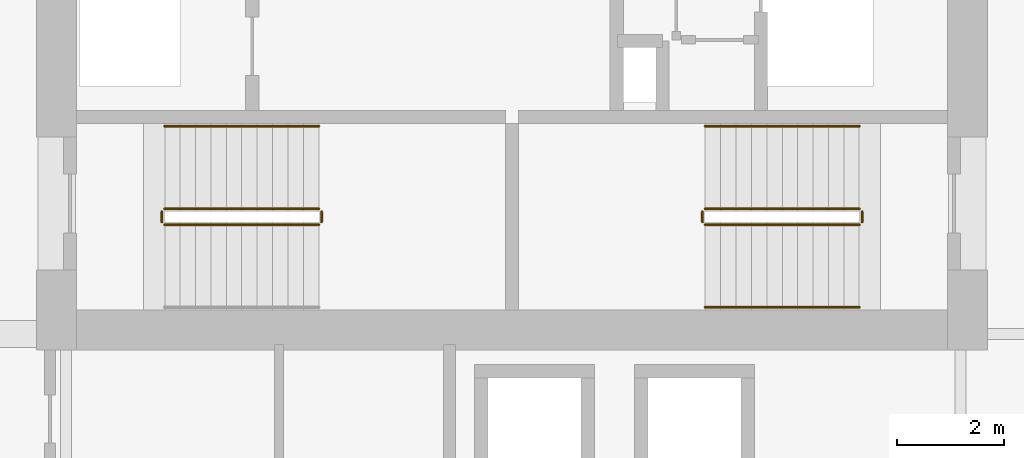
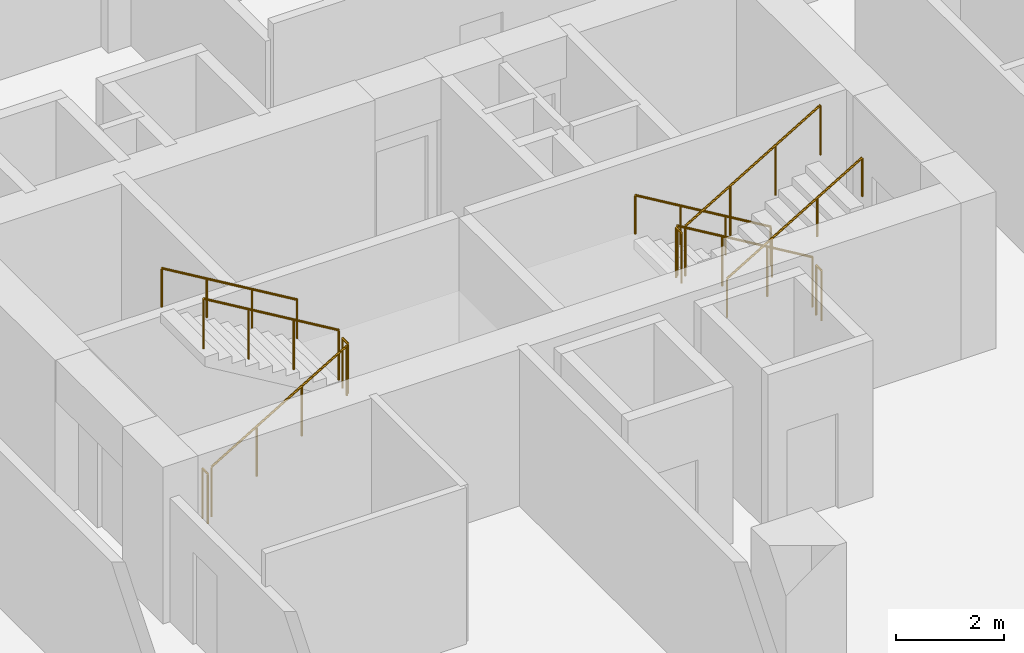
# One storey, part 16 of 18: 11 railings.
"""IFC4 building model written with IfcOpenShell, lengths in metres."""

from ifc_helpers import new_model, si_unit, direction, frame, origin, origin_2d, place, context, subcontext, project, spatial, circle, extrude, material, type_object, element, save


model = new_model("IFC4")

# Units and contexts
model_context = context("Model", 3, precision=1e-05, world=origin(), true_north=direction((0.0, 1.0)))
body_context = subcontext(model_context, "Body", "Model", "MODEL_VIEW")
ifc_project = project(units=[si_unit("LENGTHUNIT", "METRE"), si_unit("AREAUNIT", "SQUARE_METRE"), si_unit("VOLUMEUNIT", "CUBIC_METRE"), si_unit("PLANEANGLEUNIT", "RADIAN"), si_unit("MASSUNIT", "GRAM", prefix="KILO")], contexts=[model_context])

# Site, building, storey
site_placement = place(None, origin())
site = spatial("IfcSite", under=ifc_project, at=site_placement, CompositionType="ELEMENT")
building_placement = place(site_placement, origin())
building = spatial("IfcBuilding", under=site, at=building_placement, Name="Koriwani Terraces Tower", CompositionType="ELEMENT")
storey_placement = place(building_placement, frame((0.0, 0.0, 145.60009765625)))
storey = spatial("IfcBuildingStorey", under=building, at=storey_placement, Name="L35", CompositionType="ELEMENT", Elevation=145.60009765625)

# Railings
ifc_material = material(Name="Steel ASTM A572 Grade 50", Category="steel")
railing_type_1 = type_object("IfcRailingType", Name="GUARD_STAIR_WELL_1120", PredefinedType="GUARDRAIL", material=ifc_material)
railing_1_placement = place(storey_placement, frame((43.85009765625, 18.85009765625, 0.172607421875)))
element("IfcRailing", 1, at=railing_1_placement, inside=storey, type_object=railing_type_1, Name="L35 ST-E1 stair guard 1", PredefinedType="GUARDRAIL", context=body_context, shape_type="SweptSolid", body=[
    extrude(circle(Radius=0.02392578125, at=origin_2d()), frame((0.0, 0.0, 1.1259765625), z_axis=(0.859141464434, 0.0, 0.511738159696), x_axis=(0.0, 1.0, 0.0)), (0.0, 0.0, 1.0), 3.375244140625),
    extrude(circle(Radius=0.02099609375, at=origin_2d()), origin(), (0.0, 0.0, 1.0), 1.101806640625),
    extrude(circle(Radius=0.02099609375, at=origin_2d()), frame((0.966552734375, 0.0, 0.57568359375)), (0.0, 0.0, 1.0), 1.101806640625),
    extrude(circle(Radius=0.02099609375, at=origin_2d()), frame((1.933349609375, 0.0, 1.151611328125)), (0.0, 0.0, 1.0), 1.101806640625),
    extrude(circle(Radius=0.02099609375, at=origin_2d()), frame((2.89990234375, 0.0, 1.727294921875)), (0.0, 0.0, 1.0), 1.101806640625),
])
railing_2_placement = place(storey_placement, frame((46.800048828125, 18.89990234375, 1.89990234375)))
element("IfcRailing", 2, at=railing_2_placement, inside=storey, type_object=railing_type_1, Name="L35 ST-E1 stair guard 2", PredefinedType="GUARDRAIL", context=body_context, shape_type="SweptSolid", body=[
    extrude(circle(Radius=0.02392578125, at=origin_2d()), frame((0.0, 0.0, 1.1259765625), z_axis=(0.0, 1.0, 0.0), x_axis=(-1.0, 0.0, 0.0)), (0.0, 0.0, 1.0), 0.2001953125),
    extrude(circle(Radius=0.02099609375, at=origin_2d()), origin(), (0.0, 0.0, 1.0), 1.101806640625),
    extrude(circle(Radius=0.02099609375, at=origin_2d()), frame((0.0, 0.2001953125, 0.0)), (0.0, 0.0, 1.0), 1.101806640625),
])
railing_3_placement = place(storey_placement, frame((46.75, 19.14990234375, 2.072509765625)))
element("IfcRailing", 3, at=railing_3_placement, inside=storey, type_object=railing_type_1, Name="L35 ST-E1 stair guard 3", PredefinedType="GUARDRAIL", context=body_context, shape_type="SweptSolid", body=[
    extrude(circle(Radius=0.02392578125, at=origin_2d()), frame((0.0, 0.0, 1.1259765625), z_axis=(-0.859141464434, 0.0, 0.511738159696), x_axis=(0.0, -1.0, 0.0)), (0.0, 0.0, 1.0), 3.375244140625),
    extrude(circle(Radius=0.02099609375, at=origin_2d()), origin(), (0.0, 0.0, 1.0), 1.101806640625),
    extrude(circle(Radius=0.02099609375, at=origin_2d()), frame((-0.966552734375, 0.0, 0.57568359375)), (0.0, 0.0, 1.0), 1.101806640625),
    extrude(circle(Radius=0.02099609375, at=origin_2d()), frame((-1.933349609375, 0.0, 1.151611328125)), (0.0, 0.0, 1.0), 1.101806640625),
    extrude(circle(Radius=0.02099609375, at=origin_2d()), frame((-2.89990234375, 0.0, 1.727294921875)), (0.0, 0.0, 1.0), 1.101806640625),
])
railing_4_placement = place(storey_placement, frame((43.800048828125, 18.89990234375, 0.0)))
element("IfcRailing", 4, at=railing_4_placement, inside=storey, type_object=railing_type_1, Name="L35 ST-E1 stair guard 4", PredefinedType="GUARDRAIL", context=body_context, shape_type="SweptSolid", body=[
    extrude(circle(Radius=0.02392578125, at=origin_2d()), frame((0.0, 0.0, 1.1259765625), z_axis=(0.0, 1.0, 0.0), x_axis=(-1.0, 0.0, 0.0)), (0.0, 0.0, 1.0), 0.2001953125),
    extrude(circle(Radius=0.02099609375, at=origin_2d()), origin(), (0.0, 0.0, 1.0), 1.101806640625),
    extrude(circle(Radius=0.02099609375, at=origin_2d()), frame((0.0, 0.2001953125, 0.0)), (0.0, 0.0, 1.0), 1.101806640625),
])
railing_5_placement = place(storey_placement, frame((56.89990234375, 19.14990234375, 0.172607421875)))
element("IfcRailing", 5, at=railing_5_placement, inside=storey, type_object=railing_type_1, Name="L35 ST-E2 stair guard 1", PredefinedType="GUARDRAIL", context=body_context, shape_type="SweptSolid", body=[
    extrude(circle(Radius=0.02392578125, at=origin_2d()), frame((0.0, 0.0, 1.1259765625), z_axis=(-0.859141464434, 0.0, 0.511738159696), x_axis=(0.0, -1.0, 0.0)), (0.0, 0.0, 1.0), 3.375244140625),
    extrude(circle(Radius=0.02099609375, at=origin_2d()), origin(), (0.0, 0.0, 1.0), 1.101806640625),
    extrude(circle(Radius=0.02099609375, at=origin_2d()), frame((-0.966552734375, 0.0, 0.57568359375)), (0.0, 0.0, 1.0), 1.101806640625),
    extrude(circle(Radius=0.02099609375, at=origin_2d()), frame((-1.933349609375, 0.0, 1.151611328125)), (0.0, 0.0, 1.0), 1.101806640625),
    extrude(circle(Radius=0.02099609375, at=origin_2d()), frame((-2.89990234375, 0.0, 1.727294921875)), (0.0, 0.0, 1.0), 1.101806640625),
])
railing_6_placement = place(storey_placement, frame((53.949951171875, 19.10009765625, 1.89990234375)))
element("IfcRailing", 6, at=railing_6_placement, inside=storey, type_object=railing_type_1, Name="L35 ST-E2 stair guard 2", PredefinedType="GUARDRAIL", context=body_context, shape_type="SweptSolid", body=[
    extrude(circle(Radius=0.02392578125, at=origin_2d()), frame((0.0, 0.0, 1.1259765625), z_axis=(0.0, -1.0, 0.0), x_axis=(1.0, 0.0, 0.0)), (0.0, 0.0, 1.0), 0.2001953125),
    extrude(circle(Radius=0.02099609375, at=origin_2d()), origin(), (0.0, 0.0, 1.0), 1.101806640625),
    extrude(circle(Radius=0.02099609375, at=origin_2d()), frame((0.0, -0.2001953125, 0.0)), (0.0, 0.0, 1.0), 1.101806640625),
])
railing_7_placement = place(storey_placement, frame((54.0, 18.85009765625, 2.072509765625)))
element("IfcRailing", 7, at=railing_7_placement, inside=storey, type_object=railing_type_1, Name="L35 ST-E2 stair guard 3", PredefinedType="GUARDRAIL", context=body_context, shape_type="SweptSolid", body=[
    extrude(circle(Radius=0.02392578125, at=origin_2d()), frame((0.0, 0.0, 1.1259765625), z_axis=(0.859141464434, 0.0, 0.511738159696), x_axis=(0.0, 1.0, 0.0)), (0.0, 0.0, 1.0), 3.375244140625),
    extrude(circle(Radius=0.02099609375, at=origin_2d()), origin(), (0.0, 0.0, 1.0), 1.101806640625),
    extrude(circle(Radius=0.02099609375, at=origin_2d()), frame((0.966552734375, 0.0, 0.57568359375)), (0.0, 0.0, 1.0), 1.101806640625),
    extrude(circle(Radius=0.02099609375, at=origin_2d()), frame((1.933349609375, 0.0, 1.151611328125)), (0.0, 0.0, 1.0), 1.101806640625),
    extrude(circle(Radius=0.02099609375, at=origin_2d()), frame((2.89990234375, 0.0, 1.727294921875)), (0.0, 0.0, 1.0), 1.101806640625),
])
railing_8_placement = place(storey_placement, frame((56.949951171875, 19.10009765625, 0.0)))
element("IfcRailing", 8, at=railing_8_placement, inside=storey, type_object=railing_type_1, Name="L35 ST-E2 stair guard 4", PredefinedType="GUARDRAIL", context=body_context, shape_type="SweptSolid", body=[
    extrude(circle(Radius=0.02392578125, at=origin_2d()), frame((0.0, 0.0, 1.1259765625), z_axis=(0.0, -1.0, 0.0), x_axis=(1.0, 0.0, 0.0)), (0.0, 0.0, 1.0), 0.2001953125),
    extrude(circle(Radius=0.02099609375, at=origin_2d()), origin(), (0.0, 0.0, 1.0), 1.101806640625),
    extrude(circle(Radius=0.02099609375, at=origin_2d()), frame((0.0, -0.2001953125, 0.0)), (0.0, 0.0, 1.0), 1.101806640625),
])
railing_type_2 = type_object("IfcRailingType", Name="HANDRAIL_STAIR_920", PredefinedType="HANDRAIL", material=ifc_material)
for number, where, name in (
    (9, (46.75, 20.699951171875, 2.072509765625), "L35 ST-E1 stair handrail 2"),
    (10, (56.89990234375, 20.699951171875, 0.172607421875), "L35 ST-E2 stair handrail 1"),
):
    element("IfcRailing", number, at=place(storey_placement, frame(where)), inside=storey, type_object=railing_type_2, Name=name, PredefinedType="HANDRAIL", context=body_context, shape_type="SweptSolid", body=[
        extrude(circle(Radius=0.02392578125, at=origin_2d()), frame((0.0, 0.0, 0.8759765625), z_axis=(-0.859141464434, 0.0, 0.511738159696), x_axis=(0.0, -1.0, 0.0)), (0.0, 0.0, 1.0), 3.375244140625),
        extrude(circle(Radius=0.02099609375, at=origin_2d()), origin(), (0.0, 0.0, 1.0), 0.851806640625),
        extrude(circle(Radius=0.02099609375, at=origin_2d()), frame((-0.966552734375, 0.0, 0.57568359375)), (0.0, 0.0, 1.0), 0.851806640625),
        extrude(circle(Radius=0.02099609375, at=origin_2d()), frame((-1.933349609375, 0.0, 1.151611328125)), (0.0, 0.0, 1.0), 0.851806640625),
        extrude(circle(Radius=0.02099609375, at=origin_2d()), frame((-2.89990234375, 0.0, 1.727294921875)), (0.0, 0.0, 1.0), 0.851806640625),
    ])
railing_9_placement = place(storey_placement, frame((54.0, 17.300048828125, 2.072509765625)))
element("IfcRailing", 11, at=railing_9_placement, inside=storey, type_object=railing_type_2, Name="L35 ST-E2 stair handrail 2", PredefinedType="HANDRAIL", context=body_context, shape_type="SweptSolid", body=[
    extrude(circle(Radius=0.02392578125, at=origin_2d()), frame((0.0, 0.0, 0.8759765625), z_axis=(0.859141464434, 0.0, 0.511738159696), x_axis=(0.0, 1.0, 0.0)), (0.0, 0.0, 1.0), 3.375244140625),
    extrude(circle(Radius=0.02099609375, at=origin_2d()), origin(), (0.0, 0.0, 1.0), 0.851806640625),
    extrude(circle(Radius=0.02099609375, at=origin_2d()), frame((0.966552734375, 0.0, 0.57568359375)), (0.0, 0.0, 1.0), 0.851806640625),
    extrude(circle(Radius=0.02099609375, at=origin_2d()), frame((1.933349609375, 0.0, 1.151611328125)), (0.0, 0.0, 1.0), 0.851806640625),
    extrude(circle(Radius=0.02099609375, at=origin_2d()), frame((2.89990234375, 0.0, 1.727294921875)), (0.0, 0.0, 1.0), 0.851806640625),
])

save(model, "model.ifc")
